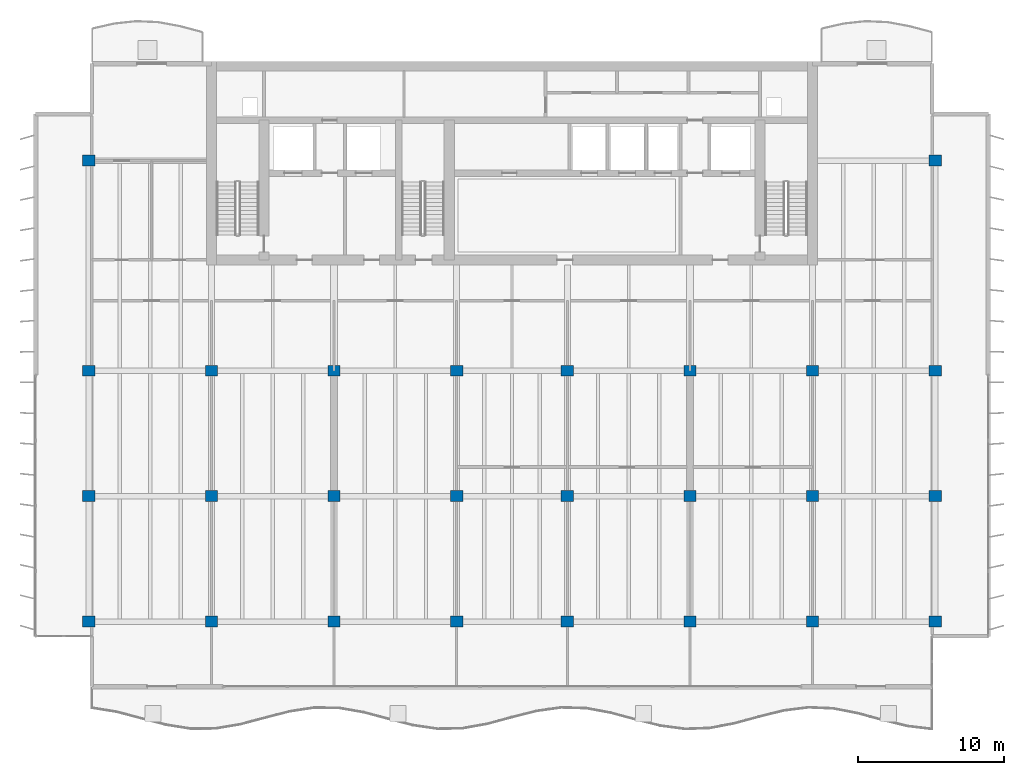
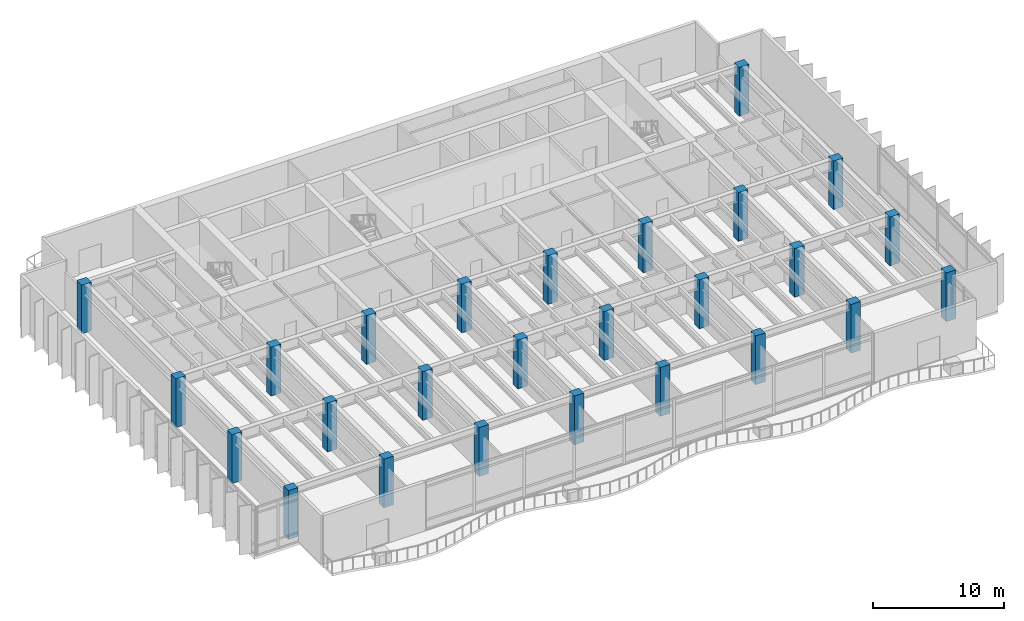
# One storey, part 1 of 15: 26 columns.
"""IFC4 building model written with IfcOpenShell, lengths in metres."""

from ifc_helpers import new_model, si_unit, direction, frame, origin, origin_2d, place, context, subcontext, project, spatial, rectangle, extrude, material, material_profile, profile_set, type_object, element, save


model = new_model("IFC4")

# Units and contexts
model_context = context("Model", 3, precision=1e-05, world=origin(), true_north=direction((0.0, 1.0)))
body_context = subcontext(model_context, "Body", "Model", "MODEL_VIEW")
ifc_project = project(units=[si_unit("LENGTHUNIT", "METRE"), si_unit("AREAUNIT", "SQUARE_METRE"), si_unit("VOLUMEUNIT", "CUBIC_METRE"), si_unit("PLANEANGLEUNIT", "RADIAN"), si_unit("MASSUNIT", "GRAM", prefix="KILO")], contexts=[model_context])

# Site, building, storey
site_placement = place(None, origin())
site = spatial("IfcSite", under=ifc_project, at=site_placement, CompositionType="ELEMENT")
building_placement = place(site_placement, origin())
building = spatial("IfcBuilding", under=site, at=building_placement, Name="Caelmar Bay Residences", CompositionType="ELEMENT")
storey_placement = place(building_placement, frame((0.0, 0.0, 183.60009765625)))
storey = spatial("IfcBuildingStorey", under=building, at=storey_placement, Name="L51", CompositionType="ELEMENT", Elevation=183.60009765625)

# Columns
ifc_material = material(Name="Concrete f'c 55 MPa (8,000 psi)", Category="concrete")
ifc_material_profile = material_profile(ifc_material, rectangle(XDim=0.85009765625, YDim=0.75, at=origin_2d()), Name="RC-COL-850X750")
ifc_profile_set = profile_set([ifc_material_profile], Name="Concrete f'c 55 MPa (8,000 psi)")
column_type = type_object("IfcColumnType", Name="COL-RC-850X750", PredefinedType="COLUMN", material=ifc_profile_set)
for number, where, z_axis, x_axis, name in (
    (1, (9.89990234375, 12.199951171875, 0.0), (0.0, 0.0, 1.0), (1.0, 0.0, 0.0), "L51 Column (9.90,12.20)"),
    (2, (18.300048828125, 12.199951171875, 0.0), (0.0, 0.0, 1.0), (1.0, 0.0, 0.0), "L51 Column (18.30,12.20)"),
    (3, (26.699951171875, 12.199951171875, 0.0), (0.0, 0.0, 1.0), (1.0, 0.0, 0.0), "L51 Column (26.70,12.20)"),
    (4, (35.10009765625, 12.199951171875, 0.0), (0.0, 0.0, 1.0), (1.0, 0.0, 0.0), "L51 Column (35.10,12.20)"),
    (5, (42.699951171875, 12.199951171875, 0.0), (0.0, 0.0, 1.0), (1.0, 0.0, 0.0), "L51 Column (42.70,12.20)"),
    (6, (51.10009765625, 12.199951171875, 0.0), (0.0, 0.0, 1.0), (1.0, 0.0, 0.0), "L51 Column (51.10,12.20)"),
    (7, (59.5, 12.199951171875, 0.0), (0.0, 0.0, 1.0), (1.0, 0.0, 0.0), "L51 Column (59.50,12.20)"),
    (8, (67.89990234375, 12.199951171875, 0.0), (0.0, 0.0, 1.0), (1.0, 0.0, 0.0), "L51 Column (67.90,12.20)"),
    (9, (9.89990234375, 20.800048828125, 0.0), (0.0, 0.0, 1.0), (1.0, 0.0, 0.0), "L51 Column (9.90,20.80)"),
    (10, (18.300048828125, 20.800048828125, 0.0), (0.0, 0.0, 1.0), (1.0, 0.0, 0.0), "L51 Column (18.30,20.80)"),
    (11, (26.699951171875, 20.800048828125, 0.0), (0.0, 0.0, 1.0), (1.0, 0.0, 0.0), "L51 Column (26.70,20.80)"),
    (12, (35.10009765625, 20.800048828125, 0.0), (0.0, 0.0, 1.0), (1.0, 0.0, 0.0), "L51 Column (35.10,20.80)"),
    (13, (42.699951171875, 20.800048828125, 0.0), (0.0, 0.0, 1.0), (1.0, 0.0, 0.0), "L51 Column (42.70,20.80)"),
    (14, (51.10009765625, 20.800048828125, 0.0), (0.0, 0.0, 1.0), (1.0, 0.0, 0.0), "L51 Column (51.10,20.80)"),
    (15, (59.5, 20.800048828125, 0.0), (0.0, 0.0, 1.0), (1.0, 0.0, 0.0), "L51 Column (59.50,20.80)"),
    (16, (67.89990234375, 20.800048828125, 0.0), (0.0, 0.0, 1.0), (1.0, 0.0, 0.0), "L51 Column (67.90,20.80)"),
    (17, (9.89990234375, 29.39990234375, 0.0), (0.0, 0.0, 1.0), (1.0, 0.0, 0.0), "L51 Column (9.90,29.40)"),
    (18, (18.300048828125, 29.39990234375, 0.0), (0.0, 0.0, 1.0), (1.0, 0.0, 0.0), "L51 Column (18.30,29.40)"),
    (19, (26.699951171875, 29.39990234375, 0.0), (0.0, 0.0, 1.0), (1.0, 0.0, 0.0), "L51 Column (26.70,29.40)"),
    (20, (35.10009765625, 29.39990234375, 0.0), (0.0, 0.0, 1.0), (1.0, 0.0, 0.0), "L51 Column (35.10,29.40)"),
    (21, (42.699951171875, 29.39990234375, 0.0), (0.0, 0.0, 1.0), (1.0, 0.0, 0.0), "L51 Column (42.70,29.40)"),
    (22, (51.10009765625, 29.39990234375, 0.0), (0.0, 0.0, 1.0), (1.0, 0.0, 0.0), "L51 Column (51.10,29.40)"),
    (23, (59.5, 29.39990234375, 0.0), (0.0, 0.0, 1.0), (1.0, 0.0, 0.0), "L51 Column (59.50,29.40)"),
    (24, (67.89990234375, 29.39990234375, 0.0), (0.0, 0.0, 1.0), (1.0, 0.0, 0.0), "L51 Column (67.90,29.40)"),
    (25, (9.89990234375, 43.800048828125, 0.0), (0.0, 0.0, 1.0), (1.0, 0.0, 0.0), "L51 Column (9.90,43.80)"),
    (26, (67.89990234375, 43.800048828125, 0.0), (0.0, 0.0, 1.0), (1.0, 0.0, 0.0), "L51 Column (67.90,43.80)"),
):
    element("IfcColumn", number, at=place(storey_placement, frame(where, z_axis=z_axis, x_axis=x_axis)), inside=storey, type_object=column_type, Name=name, PredefinedType="COLUMN", context=body_context, shape_type="SweptSolid", body=[
        extrude(rectangle(XDim=0.85009765625, YDim=0.75, at=origin_2d()), origin(), (0.0, 0.0, 1.0), 4.5498046875),
    ])

save(model, "model.ifc")
